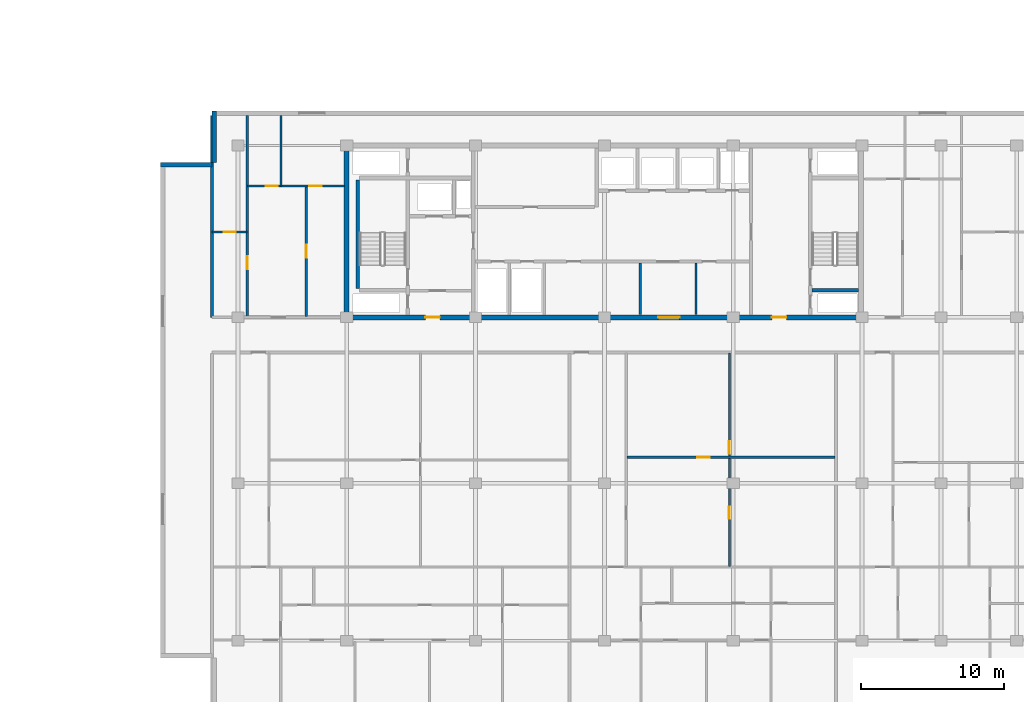
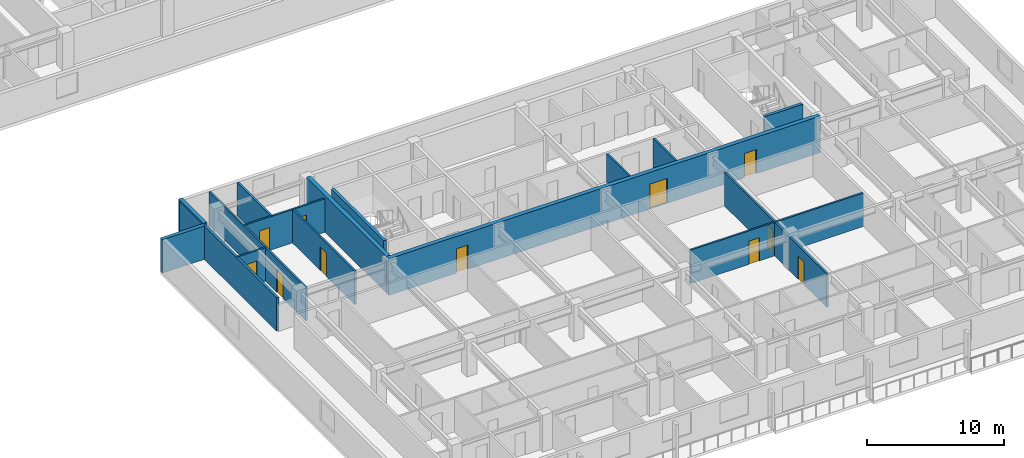
# One storey, part 6 of 22: 16 walls, 11 doors, 11 openings.
"""IFC4 building model written with IfcOpenShell, lengths in metres."""

from ifc_helpers import new_model, si_unit, direction, frame, frame_2d, origin, place, context, subcontext, project, spatial, rectangle, extrude, material, layer, layer_set, type_object, element, fill, save


model = new_model("IFC4")

# Units and contexts
model_context = context("Model", 3, precision=1e-05, world=origin(), true_north=direction((0.0, 1.0)))
body_context = subcontext(model_context, "Body", "Model", "MODEL_VIEW")
ifc_project = project(units=[si_unit("LENGTHUNIT", "METRE"), si_unit("AREAUNIT", "SQUARE_METRE"), si_unit("VOLUMEUNIT", "CUBIC_METRE"), si_unit("PLANEANGLEUNIT", "RADIAN"), si_unit("MASSUNIT", "GRAM", prefix="KILO")], contexts=[model_context])

# Site, building, storey
site_placement = place(None, origin())
site = spatial("IfcSite", under=ifc_project, at=site_placement, CompositionType="ELEMENT")
building_placement = place(site_placement, origin())
building = spatial("IfcBuilding", under=site, at=building_placement, Name="Korimba Cascade Residences", CompositionType="ELEMENT")
storey_placement = place(building_placement, frame((0.0, 0.0, 132.800048828125)))
storey = spatial("IfcBuildingStorey", under=building, at=storey_placement, Name="L38", CompositionType="ELEMENT", Elevation=132.800048828125)

# Walls
ifc_material_1 = material(Name="Precast concrete C40/50", Category="concrete")
ifc_layer_1 = layer(ifc_material_1, 0.300048828125)
ifc_layer_set_1 = layer_set([ifc_layer_1], Name="Precast concrete C40/50")
wall_type_1 = type_object("IfcWallType", Name="EW-STONE-300", PredefinedType="STANDARD", material=ifc_layer_set_1)
wall_1_placement = place(storey_placement, frame((72.85009765625, 32.800048828125, 0.0), z_axis=(0.0, 0.0, 1.0), x_axis=(0.0, -1.0, 0.0)))
element("IfcWall", 1, at=wall_1_placement, inside=storey, type_object=wall_type_1, Name="L38 T2 Perimeter Stone Wall E07", PredefinedType="STANDARD", context=body_context, shape_type="SweptSolid", body=[
    extrude(rectangle(XDim=3.60009765625, YDim=0.300048828125, at=frame_2d((1.800048828125, 0.0))), origin(), (0.0, 0.0, 1.0), 2.969970703125),
])
wall_2_placement = place(storey_placement, frame((72.699951171875, 29.050048828125, 0.0), z_axis=(0.0, 0.0, 1.0), x_axis=(-1.0, 0.0, 0.0)))
element("IfcWall", 2, at=wall_2_placement, inside=storey, type_object=wall_type_1, Name="L38 T2 Perimeter Stone Wall E08", PredefinedType="STANDARD", context=body_context, shape_type="SweptSolid", body=[
    extrude(rectangle(XDim=3.599853515625, YDim=0.300048828125, at=frame_2d((1.7998046875, 0.0))), origin(), (0.0, 0.0, 1.0), 2.969970703125),
])
ifc_material_2 = material(Name="Concrete C65/80", Category="concrete")
ifc_layer_2 = layer(ifc_material_2, 0.35009765625)
ifc_layer_set_2 = layer_set([ifc_layer_2], Name="Concrete C65/80")
wall_type_2 = type_object("IfcWallType", Name="WAL-CORE-350", PredefinedType="SHEAR", material=ifc_layer_set_2)
wall_3_placement = place(storey_placement, frame((82.10009765625, 18.574951171875, 0.0), z_axis=(0.0, 0.0, 1.0), x_axis=(0.0, 1.0, 0.0)))
element("IfcWall", 3, at=wall_3_placement, inside=storey, type_object=wall_type_2, Name="L38 Core Shear Wall CW-L38-T2-W", PredefinedType="SHEAR", context=body_context, shape_type="SweptSolid", body=[
    extrude(rectangle(XDim=11.650146484375, YDim=0.35009765625, at=frame_2d((5.8251953125, 0.0))), origin(), (0.0, 0.0, 1.0), 3.25),
])

# Wall, openings, doors
wall_4_placement = place(storey_placement, frame((81.925048828125, 18.39990234375, 0.0), z_axis=(0.0, 0.0, 1.0), x_axis=(1.0, 0.0, 0.0)))
wall_4 = element("IfcWall", 4, at=wall_4_placement, inside=storey, type_object=wall_type_2, Name="L38 Core Shear Wall CW-L38-T2-S", PredefinedType="SHEAR", context=body_context, shape_type="SweptSolid", body=[
    extrude(rectangle(XDim=36.264892578125, YDim=0.35009765625, at=frame_2d((18.13232421875, 0.0))), origin(), (0.0, 0.0, 1.0), 3.25),
])
opening_1_placement = place(wall_4_placement, frame((5.675048828125, 0.0, 0.0)))
opening_1 = element("IfcOpeningElement", 5, at=opening_1_placement, cuts=wall_4, Name="Opening D-FD5", PredefinedType="OPENING", context=body_context, shape_type="SweptSolid", body=[
    extrude(rectangle(XDim=1.0, YDim=2.14990234375, at=frame_2d((0.5, 1.074951171875))), frame((0.0, 0.18505859375, 0.0), z_axis=(0.0, -1.0, 0.0), x_axis=(1.0, 0.0, 0.0)), (0.0, 0.0, 1.0), 0.3701171875),
])
opening_2_placement = place(wall_4_placement, frame((21.925048828125, 0.0, 0.0)))
opening_2 = element("IfcOpeningElement", 6, at=opening_2_placement, cuts=wall_4, Name="Opening D-FD8", PredefinedType="OPENING", context=body_context, shape_type="SweptSolid", body=[
    extrude(rectangle(XDim=1.5, YDim=2.199951171875, at=frame_2d((0.75, 1.10009765625))), frame((0.0, 0.18505859375, 0.0), z_axis=(0.0, -1.0, 0.0), x_axis=(1.0, 0.0, 0.0)), (0.0, 0.0, 1.0), 0.3701171875),
])
opening_3_placement = place(wall_4_placement, frame((29.875, 0.0, 0.0)))
opening_3 = element("IfcOpeningElement", 7, at=opening_3_placement, cuts=wall_4, Name="Opening D-FD5", PredefinedType="OPENING", context=body_context, shape_type="SweptSolid", body=[
    extrude(rectangle(XDim=1.0, YDim=2.14990234375, at=frame_2d((0.5, 1.074951171875))), frame((0.0, 0.18505859375, 0.0), z_axis=(0.0, -1.0, 0.0), x_axis=(1.0, 0.0, 0.0)), (0.0, 0.0, 1.0), 0.3701171875),
])
ifc_material_3 = material(Name="Fire-Rated Acoustic Timber Vestibule Door", Category="wood")
door_type_1 = type_object("IfcDoorType", Name="DR-FD90-1000", OperationType="NOTDEFINED", PredefinedType="DOOR", material=ifc_material_3)
door_1_placement = place(opening_1_placement, origin())
door_1 = element("IfcDoor", 8, at=door_1_placement, inside=storey, type_object=door_type_1, Name="L38 T2 West Core Vestibule Fire Door", OperationType="SINGLE_SWING_RIGHT", OverallHeight=2.14990234375, OverallWidth=1.0, PredefinedType="DOOR", context=body_context, shape_type="SweptSolid", body=[
    extrude(rectangle(XDim=1.0, YDim=2.14990234375, at=frame_2d((0.5, 1.074951171875))), frame((0.0, 0.02490234375, 0.0), z_axis=(0.0, -1.0, 0.0), x_axis=(1.0, 0.0, 0.0)), (0.0, 0.0, 1.0), 0.050048828125),
])
fill(opening_1, door_1)
door_2_placement = place(opening_3_placement, origin())
door_2 = element("IfcDoor", 9, at=door_2_placement, inside=storey, type_object=door_type_1, Name="L38 T2 East Stair Vestibule Fire Door", OperationType="SINGLE_SWING_LEFT", OverallHeight=2.14990234375, OverallWidth=1.0, PredefinedType="DOOR", context=body_context, shape_type="SweptSolid", body=[
    extrude(rectangle(XDim=1.0, YDim=2.14990234375, at=frame_2d((0.5, 1.074951171875))), frame((0.0, 0.02490234375, 0.0), z_axis=(0.0, -1.0, 0.0), x_axis=(1.0, 0.0, 0.0)), (0.0, 0.0, 1.0), 0.050048828125),
])
fill(opening_3, door_2)
ifc_material_4 = material(Name="Fire-Rated Glazed Lift Lobby Double Door", Category="glass")
door_type_2 = type_object("IfcDoorType", Name="DR-FD90-1500", OperationType="NOTDEFINED", PredefinedType="DOOR", material=ifc_material_4)
door_3_placement = place(opening_2_placement, origin())
door_3 = element("IfcDoor", 10, at=door_3_placement, inside=storey, type_object=door_type_2, Name="L38 T2 Lift Lobby Fire Door", OperationType="DOUBLE_DOOR_SINGLE_SWING", OverallHeight=2.199951171875, OverallWidth=1.5, PredefinedType="DOOR", context=body_context, shape_type="SweptSolid", body=[
    extrude(rectangle(XDim=1.5, YDim=2.199951171875, at=frame_2d((0.75, 1.10009765625))), frame((0.0, 0.02490234375, 0.0), z_axis=(0.0, -1.0, 0.0), x_axis=(1.0, 0.0, 0.0)), (0.0, 0.0, 1.0), 0.050048828125),
])
fill(opening_2, door_3)

# Walls
ifc_layer_3 = layer(ifc_material_1, 0.199951171875)
ifc_layer_set_3 = layer_set([ifc_layer_3], Name="Precast concrete C40/50")
wall_type_3 = type_object("IfcWallType", Name="WAL-IT-200", PredefinedType="PARTITIONING", material=ifc_layer_set_3)
wall_5_placement = place(storey_placement, frame((72.699951171875, 18.39990234375, 0.0), z_axis=(0.0, 0.0, 1.0), x_axis=(0.0, 1.0, 0.0)))
element("IfcWall", 11, at=wall_5_placement, inside=storey, type_object=wall_type_3, Name="L38 Partition Wall WAL-L38-T2-FW-WL", PredefinedType="PARTITIONING", context=body_context, shape_type="SweptSolid", body=[
    extrude(rectangle(XDim=14.10009765625, YDim=0.199951171875, at=frame_2d((7.050048828125, 0.0))), origin(), (0.0, 0.0, 1.0), 2.969970703125),
])
ifc_material_5 = material(Name="Insulated Acoustic Stud Partition", Category="gypsum")
ifc_layer_4 = layer(ifc_material_5, 0.14990234375)
ifc_layer_set_4 = layer_set([ifc_layer_4], Name="Insulated Acoustic Stud Partition")
wall_type_4 = type_object("IfcWallType", Name="WAL-PART-150", PredefinedType="PARTITIONING", material=ifc_layer_set_4)
for number, where, z_axis, x_axis, name in (
    (12, (102.60009765625, 18.60009765625, 0.0), (0.0, 0.0, 1.0), (0.0, 1.0, 0.0), "L38 Partition Wall CW-L38-T2-THW"),
    (13, (106.5, 18.60009765625, 0.0), (0.0, 0.0, 1.0), (0.0, 1.0, 0.0), "L38 Partition Wall CW-L38-T2-THE"),
):
    element("IfcWall", number, at=place(storey_placement, frame(where, z_axis=z_axis, x_axis=x_axis)), inside=storey, type_object=wall_type_4, Name=name, PredefinedType="PARTITIONING", context=body_context, shape_type="SweptSolid", body=[
        extrude(rectangle(XDim=3.599853515625, YDim=0.14990234375, at=frame_2d((1.7998046875, 0.0))), origin(), (0.0, 0.0, 1.0), 2.969970703125),
    ])

# Wall, opening, door
wall_6_placement = place(storey_placement, frame((72.699951171875, 24.35009765625, 0.0), z_axis=(0.0, 0.0, 1.0), x_axis=(1.0, 0.0, 0.0)))
wall_6 = element("IfcWall", 14, at=wall_6_placement, inside=storey, type_object=wall_type_4, Name="L38 Partition Wall WAL-L38-T2-FW-STH", PredefinedType="PARTITIONING", context=body_context, shape_type="SweptSolid", body=[
    extrude(rectangle(XDim=2.449951171875, YDim=0.14990234375, at=frame_2d((1.22509765625, 0.0))), origin(), (0.0, 0.0, 1.0), 2.969970703125),
])
opening_4_placement = place(wall_6_placement, frame((0.804931640625, 0.0, 0.0)))
opening_4 = element("IfcOpeningElement", 15, at=opening_4_placement, cuts=wall_6, Name="Opening D-BT1", PredefinedType="OPENING", context=body_context, shape_type="SweptSolid", body=[
    extrude(rectangle(XDim=0.840087890625, YDim=2.0400390625, at=frame_2d((0.419921875, 1.02001953125))), frame((0.0, 0.0849609375, 0.0), z_axis=(0.0, -1.0, 0.0), x_axis=(1.0, 0.0, 0.0)), (0.0, 0.0, 1.0), 0.169921875),
])
ifc_material_6 = material(Name="Moisture-Resistant Bathroom Timber Door", Category="wood")
door_type_3 = type_object("IfcDoorType", Name="DR-INT-850", OperationType="NOTDEFINED", PredefinedType="DOOR", material=ifc_material_6)
door_4_placement = place(opening_4_placement, origin())
door_4 = element("IfcDoor", 16, at=door_4_placement, inside=storey, type_object=door_type_3, Name="L38-T2-FW Dressing Store Door", OperationType="SINGLE_SWING_RIGHT", OverallHeight=2.0400390625, OverallWidth=0.840087890625, PredefinedType="DOOR", context=body_context, shape_type="SweptSolid", body=[
    extrude(rectangle(XDim=0.840087890625, YDim=2.0400390625, at=frame_2d((0.419921875, 1.02001953125))), frame((0.0, 0.02490234375, 0.0), z_axis=(0.0, -1.0, 0.0), x_axis=(1.0, 0.0, 0.0)), (0.0, 0.0, 1.0), 0.050048828125),
])
fill(opening_4, door_4)

wall_7_placement = place(storey_placement, frame((75.14990234375, 18.449951171875, 0.0), z_axis=(0.0, 0.0, 1.0), x_axis=(0.0, 1.0, 0.0)))
wall_7 = element("IfcWall", 17, at=wall_7_placement, inside=storey, type_object=wall_type_4, Name="L38 Partition Wall WAL-L38-T2-FW-STV", PredefinedType="PARTITIONING", context=body_context, shape_type="SweptSolid", body=[
    extrude(rectangle(XDim=14.050048828125, YDim=0.14990234375, at=frame_2d((7.02490234375, 0.0))), origin(), (0.0, 0.0, 1.0), 2.969970703125),
])
opening_5_placement = place(wall_7_placement, frame((3.320068359375, 0.0, 0.0)))
opening_5 = element("IfcOpeningElement", 18, at=opening_5_placement, cuts=wall_7, Name="Opening D-IN2", PredefinedType="OPENING", context=body_context, shape_type="SweptSolid", body=[
    extrude(rectangle(XDim=0.8798828125, YDim=2.06005859375, at=frame_2d((0.43994140625, 1.030029296875))), frame((0.0, 0.0849609375, 0.0), z_axis=(0.0, -1.0, 0.0), x_axis=(1.0, 0.0, 0.0)), (0.0, 0.0, 1.0), 0.169921875),
])
ifc_material_7 = material(Name="Acoustic Timber Bedroom Door", Category="wood")
door_type_4 = type_object("IfcDoorType", Name="DR-INT-880", OperationType="NOTDEFINED", PredefinedType="DOOR", material=ifc_material_7)
door_5_placement = place(opening_5_placement, origin())
door_5 = element("IfcDoor", 19, at=door_5_placement, inside=storey, type_object=door_type_4, Name="L38-T2-FW Study Door", OperationType="SINGLE_SWING_LEFT", OverallHeight=2.06005859375, OverallWidth=0.8798828125, PredefinedType="DOOR", context=body_context, shape_type="SweptSolid", body=[
    extrude(rectangle(XDim=0.8798828125, YDim=2.06005859375, at=frame_2d((0.43994140625, 1.030029296875))), frame((0.0, 0.02490234375, 0.0), z_axis=(0.0, -1.0, 0.0), x_axis=(1.0, 0.0, 0.0)), (0.0, 0.0, 1.0), 0.050048828125),
])
fill(opening_5, door_5)

wall_8_placement = place(storey_placement, frame((79.27001953125, 18.449951171875, 0.0), z_axis=(0.0, 0.0, 1.0), x_axis=(0.0, 1.0, 0.0)))
wall_8 = element("IfcWall", 20, at=wall_8_placement, inside=storey, type_object=wall_type_4, Name="L38 Partition Wall WAL-L38-T2-FW-VS", PredefinedType="PARTITIONING", context=body_context, shape_type="SweptSolid", body=[
    extrude(rectangle(XDim=9.1201171875, YDim=0.14990234375, at=frame_2d((4.56005859375, 0.0))), origin(), (0.0, 0.0, 1.0), 2.969970703125),
])
opening_6_placement = place(wall_8_placement, frame((4.10009765625, 0.0, 0.0)))
opening_6 = element("IfcOpeningElement", 21, at=opening_6_placement, cuts=wall_8, Name="Opening D-IN1", PredefinedType="OPENING", context=body_context, shape_type="SweptSolid", body=[
    extrude(rectangle(XDim=0.919921875, YDim=2.080078125, at=frame_2d((0.4599609375, 1.0400390625))), frame((0.0, 0.0849609375, 0.0), z_axis=(0.0, -1.0, 0.0), x_axis=(1.0, 0.0, 0.0)), (0.0, 0.0, 1.0), 0.169921875),
])
ifc_material_8 = material(Name="Acoustic Timber Living Door", Category="wood")
door_type_5 = type_object("IfcDoorType", Name="DR-INT-920", OperationType="NOTDEFINED", PredefinedType="DOOR", material=ifc_material_8)
door_6_placement = place(opening_6_placement, origin())
door_6 = element("IfcDoor", 22, at=door_6_placement, inside=storey, type_object=door_type_5, Name="L38-T2-FW Living Door", OperationType="SINGLE_SWING_RIGHT", OverallHeight=2.080078125, OverallWidth=0.919921875, PredefinedType="DOOR", context=body_context, shape_type="SweptSolid", body=[
    extrude(rectangle(XDim=0.919921875, YDim=2.080078125, at=frame_2d((0.4599609375, 1.0400390625))), frame((0.0, 0.02490234375, 0.0), z_axis=(0.0, -1.0, 0.0), x_axis=(1.0, 0.0, 0.0)), (0.0, 0.0, 1.0), 0.050048828125),
])
fill(opening_6, door_6)

# Wall
wall_9_placement = place(storey_placement, frame((77.5, 27.570068359375, 0.0), z_axis=(0.0, 0.0, 1.0), x_axis=(0.0, 1.0, 0.0)))
element("IfcWall", 23, at=wall_9_placement, inside=storey, type_object=wall_type_4, Name="L38 Partition Wall WAL-L38-T2-FW-VN", PredefinedType="PARTITIONING", context=body_context, shape_type="SweptSolid", body=[
    extrude(rectangle(XDim=4.929931640625, YDim=0.14990234375, at=frame_2d((2.46484375, 0.0))), origin(), (0.0, 0.0, 1.0), 2.969970703125),
])

# Wall, openings, doors
wall_10_placement = place(storey_placement, frame((75.169921875, 27.570068359375, 0.0), z_axis=(0.0, 0.0, 1.0), x_axis=(1.0, 0.0, 0.0)))
wall_10 = element("IfcWall", 24, at=wall_10_placement, inside=storey, type_object=wall_type_4, Name="L38 Partition Wall WAL-L38-T2-FW-H", PredefinedType="PARTITIONING", context=body_context, shape_type="SweptSolid", body=[
    extrude(rectangle(XDim=6.760009765625, YDim=0.14990234375, at=frame_2d((3.3798828125, 0.0))), origin(), (0.0, 0.0, 1.0), 2.969970703125),
])
opening_7_placement = place(wall_10_placement, frame((1.266357421875, 0.0, 0.0)))
opening_7 = element("IfcOpeningElement", 25, at=opening_7_placement, cuts=wall_10, Name="Opening D-BT1", PredefinedType="OPENING", context=body_context, shape_type="SweptSolid", body=[
    extrude(rectangle(XDim=0.840087890625, YDim=2.0400390625, at=frame_2d((0.419921875, 1.02001953125))), frame((0.0, 0.0849609375, 0.0), z_axis=(0.0, -1.0, 0.0), x_axis=(1.0, 0.0, 0.0)), (0.0, 0.0, 1.0), 0.169921875),
])
opening_8_placement = place(wall_10_placement, frame((4.320068359375, 0.0, 0.0)))
opening_8 = element("IfcOpeningElement", 26, at=opening_8_placement, cuts=wall_10, Name="Opening D-IN2", PredefinedType="OPENING", context=body_context, shape_type="SweptSolid", body=[
    extrude(rectangle(XDim=0.8798828125, YDim=2.06005859375, at=frame_2d((0.43994140625, 1.030029296875))), frame((0.0, 0.0849609375, 0.0), z_axis=(0.0, -1.0, 0.0), x_axis=(1.0, 0.0, 0.0)), (0.0, 0.0, 1.0), 0.169921875),
])
door_7_placement = place(opening_7_placement, origin())
door_7 = element("IfcDoor", 27, at=door_7_placement, inside=storey, type_object=door_type_3, Name="L38-T2-FW Bathroom Door", OperationType="SINGLE_SWING_LEFT", OverallHeight=2.0400390625, OverallWidth=0.840087890625, PredefinedType="DOOR", context=body_context, shape_type="SweptSolid", body=[
    extrude(rectangle(XDim=0.840087890625, YDim=2.0400390625, at=frame_2d((0.419921875, 1.02001953125))), frame((0.0, 0.02490234375, 0.0), z_axis=(0.0, -1.0, 0.0), x_axis=(1.0, 0.0, 0.0)), (0.0, 0.0, 1.0), 0.050048828125),
])
fill(opening_7, door_7)
door_8_placement = place(opening_8_placement, origin())
door_8 = element("IfcDoor", 28, at=door_8_placement, inside=storey, type_object=door_type_4, Name="L38-T2-FW Bedroom Door", OperationType="SINGLE_SWING_RIGHT", OverallHeight=2.06005859375, OverallWidth=0.8798828125, PredefinedType="DOOR", context=body_context, shape_type="SweptSolid", body=[
    extrude(rectangle(XDim=0.8798828125, YDim=2.06005859375, at=frame_2d((0.43994140625, 1.030029296875))), frame((0.0, 0.02490234375, 0.0), z_axis=(0.0, -1.0, 0.0), x_axis=(1.0, 0.0, 0.0)), (0.0, 0.0, 1.0), 0.050048828125),
])
fill(opening_8, door_8)

wall_11_placement = place(storey_placement, frame((108.825439453125, 0.989990234375, 0.0), z_axis=(0.0, 0.0, 1.0), x_axis=(0.0, 1.0, 0.0)))
wall_11 = element("IfcWall", 29, at=wall_11_placement, inside=storey, type_object=wall_type_4, Name="L38 Partition Wall WAL-L38-T2-U02-FMV", PredefinedType="PARTITIONING", context=body_context, shape_type="SweptSolid", body=[
    extrude(rectangle(XDim=14.89990234375, YDim=0.14990234375, at=frame_2d((7.449951171875, 0.0))), origin(), (0.0, 0.0, 1.0), 2.969970703125),
])
opening_9_placement = place(wall_11_placement, frame((3.3212890625, 0.0, 0.0)))
opening_9 = element("IfcOpeningElement", 30, at=opening_9_placement, cuts=wall_11, Name="Opening D-BT1", PredefinedType="OPENING", context=body_context, shape_type="SweptSolid", body=[
    extrude(rectangle(XDim=0.840087890625, YDim=2.0400390625, at=frame_2d((0.419921875, 1.02001953125))), frame((0.0, 0.0849609375, 0.0), z_axis=(0.0, -1.0, 0.0), x_axis=(1.0, 0.0, 0.0)), (0.0, 0.0, 1.0), 0.169921875),
])
opening_10_placement = place(wall_11_placement, frame((7.8798828125, 0.0, 0.0)))
opening_10 = element("IfcOpeningElement", 31, at=opening_10_placement, cuts=wall_11, Name="Opening D-IN2", PredefinedType="OPENING", context=body_context, shape_type="SweptSolid", body=[
    extrude(rectangle(XDim=0.8798828125, YDim=2.06005859375, at=frame_2d((0.43994140625, 1.030029296875))), frame((0.0, 0.0849609375, 0.0), z_axis=(0.0, -1.0, 0.0), x_axis=(1.0, 0.0, 0.0)), (0.0, 0.0, 1.0), 0.169921875),
])
door_9_placement = place(opening_9_placement, origin())
door_9 = element("IfcDoor", 32, at=door_9_placement, inside=storey, type_object=door_type_3, Name="L38-T2-U02 Wardrobe Door", OperationType="SINGLE_SWING_RIGHT", OverallHeight=2.0400390625, OverallWidth=0.840087890625, PredefinedType="DOOR", context=body_context, shape_type="SweptSolid", body=[
    extrude(rectangle(XDim=0.840087890625, YDim=2.0400390625, at=frame_2d((0.419921875, 1.02001953125))), frame((0.0, 0.02490234375, 0.0), z_axis=(0.0, -1.0, 0.0), x_axis=(1.0, 0.0, 0.0)), (0.0, 0.0, 1.0), 0.050048828125),
])
fill(opening_9, door_9)
door_10_placement = place(opening_10_placement, origin())
door_10 = element("IfcDoor", 33, at=door_10_placement, inside=storey, type_object=door_type_4, Name="L38-T2-U02 Music Lounge Door", OperationType="SINGLE_SWING_LEFT", OverallHeight=2.06005859375, OverallWidth=0.8798828125, PredefinedType="DOOR", context=body_context, shape_type="SweptSolid", body=[
    extrude(rectangle(XDim=0.8798828125, YDim=2.06005859375, at=frame_2d((0.43994140625, 1.030029296875))), frame((0.0, 0.02490234375, 0.0), z_axis=(0.0, -1.0, 0.0), x_axis=(1.0, 0.0, 0.0)), (0.0, 0.0, 1.0), 0.050048828125),
])
fill(opening_10, door_10)

# Wall, opening, door
wall_12_placement = place(storey_placement, frame((101.6845703125, 8.6201171875, 0.0), z_axis=(0.0, 0.0, 1.0), x_axis=(1.0, 0.0, 0.0)))
wall_12 = element("IfcWall", 34, at=wall_12_placement, inside=storey, type_object=wall_type_4, Name="L38 Partition Wall WAL-L38-T2-U02-FMH", PredefinedType="PARTITIONING", context=body_context, shape_type="SweptSolid", body=[
    extrude(rectangle(XDim=14.521728515625, YDim=0.14990234375, at=frame_2d((7.2607421875, 0.0))), origin(), (0.0, 0.0, 1.0), 2.969970703125),
])
opening_11_placement = place(wall_12_placement, frame((4.902587890625, 0.0, 0.0)))
opening_11 = element("IfcOpeningElement", 35, at=opening_11_placement, cuts=wall_12, Name="Opening D-IN2", PredefinedType="OPENING", context=body_context, shape_type="SweptSolid", body=[
    extrude(rectangle(XDim=0.8798828125, YDim=2.06005859375, at=frame_2d((0.43994140625, 1.030029296875))), frame((0.0, 0.0849609375, 0.0), z_axis=(0.0, -1.0, 0.0), x_axis=(1.0, 0.0, 0.0)), (0.0, 0.0, 1.0), 0.169921875),
])
door_11_placement = place(opening_11_placement, origin())
door_11 = element("IfcDoor", 36, at=door_11_placement, inside=storey, type_object=door_type_4, Name="L38-T2-U02 Library Salon Door", OperationType="SINGLE_SWING_RIGHT", OverallHeight=2.06005859375, OverallWidth=0.8798828125, PredefinedType="DOOR", context=body_context, shape_type="SweptSolid", body=[
    extrude(rectangle(XDim=0.8798828125, YDim=2.06005859375, at=frame_2d((0.43994140625, 1.030029296875))), frame((0.0, 0.02490234375, 0.0), z_axis=(0.0, -1.0, 0.0), x_axis=(1.0, 0.0, 0.0)), (0.0, 0.0, 1.0), 0.050048828125),
])
fill(opening_11, door_11)

# Walls
ifc_material_9 = material(Name="Concrete C50/60", Category="concrete")
ifc_layer_5 = layer(ifc_material_9, 0.25)
ifc_layer_set_5 = layer_set([ifc_layer_5], Name="Concrete C50/60")
wall_type_5 = type_object("IfcWallType", Name="WAL-SHAFT-250", PredefinedType="SHEAR", material=ifc_layer_set_5)
wall_13_placement = place(storey_placement, frame((82.875, 20.39990234375, 0.0), z_axis=(0.0, 0.0, 1.0), x_axis=(0.0, 1.0, 0.0)))
element("IfcWall", 37, at=wall_13_placement, inside=storey, type_object=wall_type_5, Name="L38 Core Shear Wall CW-L38-T2-STE1W", PredefinedType="SHEAR", context=body_context, shape_type="SweptSolid", body=[
    extrude(rectangle(XDim=7.60009765625, YDim=0.25, at=frame_2d((3.800048828125, 0.0))), origin(), (0.0, 0.0, 1.0), 3.25),
])
wall_14_placement = place(storey_placement, frame((114.60009765625, 20.27490234375, 0.0), z_axis=(0.0, 0.0, 1.0), x_axis=(1.0, 0.0, 0.0)))
element("IfcWall", 38, at=wall_14_placement, inside=storey, type_object=wall_type_5, Name="L38 Core Shear Wall CW-L38-T2-STE2S", PredefinedType="SHEAR", context=body_context, shape_type="SweptSolid", body=[
    extrude(rectangle(XDim=3.239990234375, YDim=0.25, at=frame_2d((1.6201171875, 0.0))), origin(), (0.0, 0.0, 1.0), 3.25),
])

save(model, "model.ifc")
